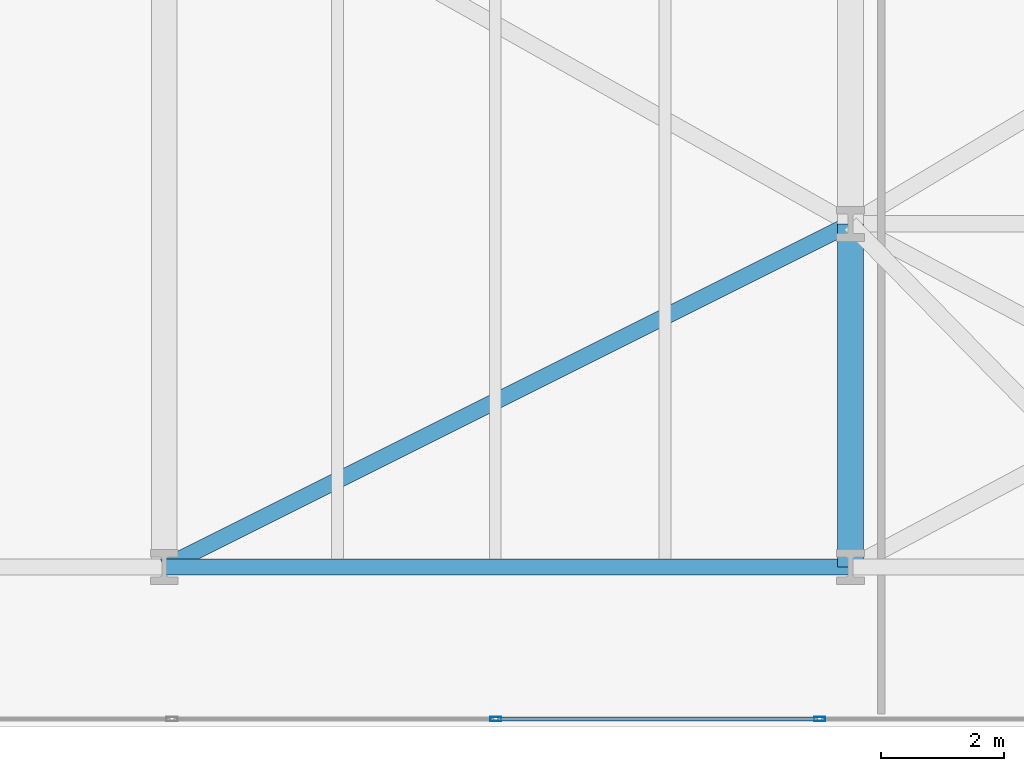
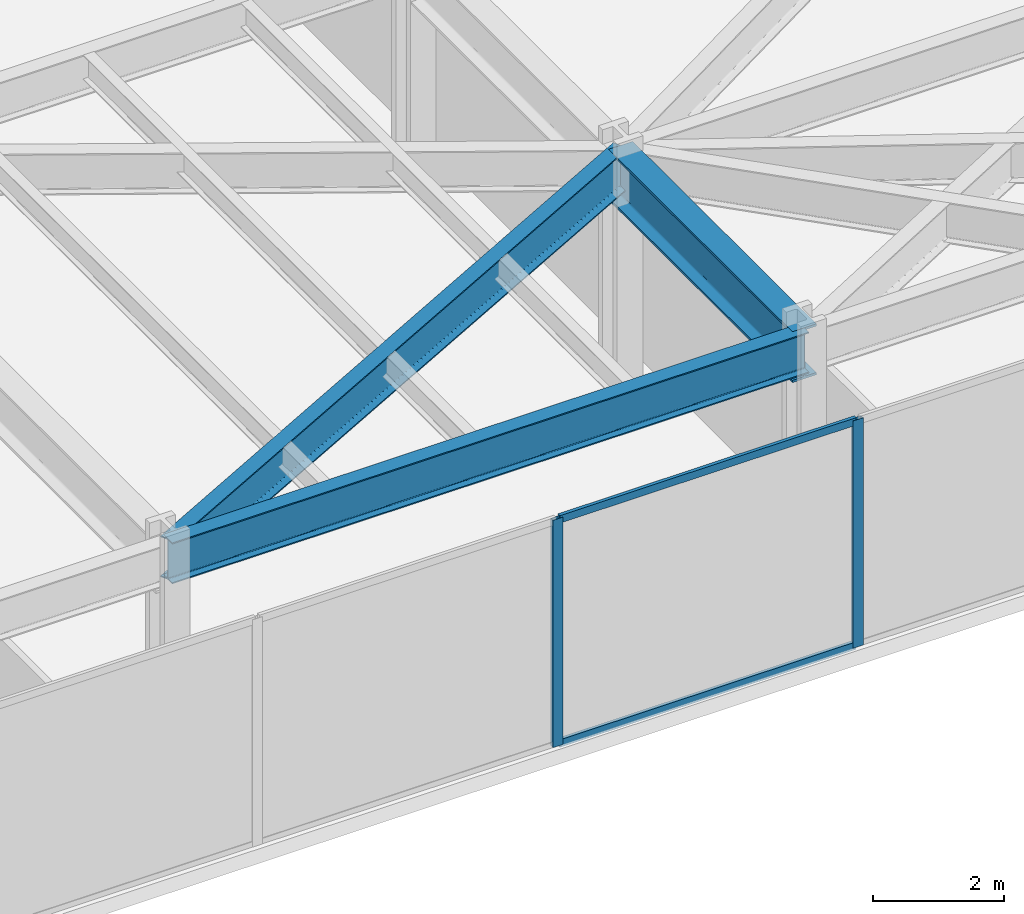
# One storey, part 16 of 28: 4 members, 3 beams, 1 element without a shape of its own.
"""IFC4 building model written with IfcOpenShell, lengths in metres."""

from ifc_helpers import new_model, si_unit, direction, frame, origin, origin_2d, place, context, subcontext, project, spatial, hollow_rectangle, i_section, extrude, material, layer, layer_set, material_profile, profile_set, type_object, element, aggregate, save


model = new_model("IFC4")

# Units and contexts
model_context = context("Model", 3, precision=1e-05, world=origin(), true_north=direction((0.0, 1.0)))
body_context = subcontext(model_context, "Body", "Model", "MODEL_VIEW")
ifc_project = project(units=[si_unit("LENGTHUNIT", "METRE"), si_unit("AREAUNIT", "SQUARE_METRE"), si_unit("VOLUMEUNIT", "CUBIC_METRE"), si_unit("PLANEANGLEUNIT", "RADIAN"), si_unit("MASSUNIT", "GRAM", prefix="KILO")], contexts=[model_context])

# Site, building, storey
site_placement = place(None, origin())
site = spatial("IfcSite", under=ifc_project, at=site_placement, CompositionType="ELEMENT")
building_placement = place(site_placement, origin())
building = spatial("IfcBuilding", under=site, at=building_placement, Name="Kravanh Interchange Tower", CompositionType="ELEMENT")
storey_placement = place(building_placement, frame((0.0, 0.0, 15.300048828125)))
storey = spatial("IfcBuildingStorey", under=building, at=storey_placement, Name="L03", CompositionType="ELEMENT", Elevation=15.300048828125)

# Curtain wall, members
ifc_material_1 = material(Name="Anodised Bronze Aluminium", Category="aluminium")
ifc_layer = layer(ifc_material_1, 0.179931640625)
ifc_layer_set = layer_set([ifc_layer], Name="Unitised Curtain Wall System CW-POD Podium Concourse")
curtain_wall_type = type_object("IfcCurtainWallType", Name="Unitised Curtain Wall System CW-POD Podium Concourse", PredefinedType="NOTDEFINED", material=ifc_layer_set)
curtain_wall_placement = place(storey_placement, origin())
curtain_wall = element("IfcCurtainWall", 1, at=curtain_wall_placement, inside=storey, type_object=curtain_wall_type, Name="L03 Unitised Curtain Wall CW-L03-04", PredefinedType="NOTDEFINED")
ifc_material_2 = material(Name="Anodised Bronze Aluminium", Category="aluminium")
ifc_material_profile_1 = material_profile(ifc_material_2, hollow_rectangle(XDim=0.070068359375, YDim=0.179931640625, WallThickness=0.00390625, at=origin_2d()), Name="ALU70X180X4")
ifc_profile_set_1 = profile_set([ifc_material_profile_1], Name="Anodised Bronze Aluminium")
member_type_1 = type_object("IfcMemberType", Name="Curtain Wall Mullion ALU70X180X4 Bronze", PredefinedType="MULLION", material=ifc_profile_set_1)
member_1_placement = place(storey_placement, frame((55.496337890625, 0.1201171875, 0.0), z_axis=(0.0, 0.0, 1.0), x_axis=(0.0, -1.0, 0.0)))
member_1 = element("IfcMember", 2, at=member_1_placement, type_object=member_type_1, Name="CW-POD mullion 4", PredefinedType="MULLION", context=body_context, shape_type="SweptSolid", body=[
    extrude(hollow_rectangle(XDim=0.070068359375, YDim=0.179931640625, WallThickness=0.00390625, at=origin_2d()), origin(), (0.0, 0.0, 1.0), 4.22998046875),
])
member_2_placement = place(storey_placement, frame((50.211669921875, 0.1201171875, 0.0), z_axis=(0.0, 0.0, 1.0), x_axis=(0.0, -1.0, 0.0)))
member_2 = element("IfcMember", 3, at=member_2_placement, type_object=member_type_1, Name="CW-POD mullion 5", PredefinedType="MULLION", context=body_context, shape_type="SweptSolid", body=[
    extrude(hollow_rectangle(XDim=0.070068359375, YDim=0.179931640625, WallThickness=0.00390625, at=origin_2d()), origin(), (0.0, 0.0, 1.0), 4.22998046875),
])
ifc_material_3 = material(Name="Anodised Bronze Aluminium", Category="aluminium")
ifc_material_profile_2 = material_profile(ifc_material_3, hollow_rectangle(XDim=0.06005859375, YDim=0.139892578125, WallThickness=0.00390625, at=origin_2d()), Name="ALU60X140X4")
ifc_profile_set_2 = profile_set([ifc_material_profile_2], Name="Anodised Bronze Aluminium")
member_type_2 = type_object("IfcMemberType", Name="Curtain Wall Transom ALU60X140X4 Bronze", PredefinedType="USERDEFINED", material=ifc_profile_set_2)
member_3_placement = place(storey_placement, frame((55.46142578125, 0.1201171875, 0.030029296875), z_axis=(-1.0, 0.0, 0.0), x_axis=(0.0, -1.0, 0.0)))
member_3 = element("IfcMember", 4, at=member_3_placement, type_object=member_type_2, Name="CW-POD transom 4.1", ObjectType="TRANSOM", PredefinedType="USERDEFINED", context=body_context, shape_type="SweptSolid", body=[
    extrude(hollow_rectangle(XDim=0.06005859375, YDim=0.139892578125, WallThickness=0.00390625, at=origin_2d()), origin(), (0.0, 0.0, 1.0), 5.21484375),
])
member_4_placement = place(storey_placement, frame((55.46142578125, 0.1201171875, 4.199951171875), z_axis=(-1.0, 0.0, 0.0), x_axis=(0.0, -1.0, 0.0)))
member_4 = element("IfcMember", 5, at=member_4_placement, type_object=member_type_2, Name="CW-POD transom 4.2", ObjectType="TRANSOM", PredefinedType="USERDEFINED", context=body_context, shape_type="SweptSolid", body=[
    extrude(hollow_rectangle(XDim=0.06005859375, YDim=0.139892578125, WallThickness=0.00390625, at=origin_2d()), origin(), (0.0, 0.0, 1.0), 5.21484375),
])
aggregate(curtain_wall, [member_1, member_2, member_3, member_4])

# Beams
ifc_material_4 = material(Name="Structural Steel S450", Category="steel")
ifc_material_profile_3 = material_profile(ifc_material_4, i_section(OverallWidth=0.423095703125, OverallDepth=0.947998046875, WebThickness=0.02392578125, FlangeThickness=0.042724609375, FilletRadius=0.028076171875, at=origin_2d()), Name="W36X302")
ifc_profile_set_3 = profile_set([ifc_material_profile_3], Name="Structural Steel S450")
beam_type_1 = type_object("IfcBeamType", Name="Floor Beam W36X302 Structural Steel S450", PredefinedType="BEAM", material=ifc_profile_set_3)
beam_1_placement = place(storey_placement, frame((56.0, 2.60009765625, 3.755859375), z_axis=(0.0, 1.0, 0.0), x_axis=(-1.0, 0.0, 0.0)))
element("IfcBeam", 6, at=beam_1_placement, inside=storey, type_object=beam_type_1, Name="L03 Primary Floor Girder 14", PredefinedType="BEAM", context=body_context, shape_type="SweptSolid", body=[
    extrude(i_section(OverallWidth=0.423095703125, OverallDepth=0.947998046875, WebThickness=0.02392578125, FlangeThickness=0.042724609375, FilletRadius=0.028076171875, at=origin_2d()), origin(), (0.0, 0.0, 1.0), 5.599853515625),
])
ifc_material_5 = material(Name="Structural Steel S355", Category="steel")
ifc_material_profile_4 = material_profile(ifc_material_5, i_section(OverallWidth=0.26708984375, OverallDepth=0.761962890625, WebThickness=0.014404296875, FlangeThickness=0.021484375, FilletRadius=0.02490234375, at=origin_2d()), Name="W30X116")
ifc_profile_set_4 = profile_set([ifc_material_profile_4], Name="Structural Steel S355")
beam_type_2 = type_object("IfcBeamType", Name="Floor Spandrel W30X116 Structural Steel S355", PredefinedType="SPANDREL", material=ifc_profile_set_4)
beam_2_placement = place(storey_placement, frame((44.800048828125, 2.60009765625, 3.848876953125), z_axis=(1.0, 0.0, 0.0), x_axis=(0.0, 1.0, 0.0)))
element("IfcBeam", 7, at=beam_2_placement, inside=storey, type_object=beam_type_2, Name="L03 Perimeter Spandrel 10", PredefinedType="SPANDREL", context=body_context, shape_type="SweptSolid", body=[
    extrude(i_section(OverallWidth=0.26708984375, OverallDepth=0.761962890625, WebThickness=0.014404296875, FlangeThickness=0.021484375, FilletRadius=0.02490234375, at=origin_2d()), origin(), (0.0, 0.0, 1.0), 11.199951171875),
])
beam_3_placement = place(storey_placement, frame((44.800048828125, 2.60009765625, 3.848876953125), z_axis=(0.894431090393, 0.447205796629, 0.0), x_axis=(-0.447205796629, 0.894431090393, 0.0)))
element("IfcBeam", 8, at=beam_3_placement, inside=storey, type_object=beam_type_2, Name="L03 Perimeter Spandrel 12", PredefinedType="SPANDREL", context=body_context, shape_type="SweptSolid", body=[
    extrude(i_section(OverallWidth=0.26708984375, OverallDepth=0.761962890625, WebThickness=0.014404296875, FlangeThickness=0.021484375, FilletRadius=0.02490234375, at=origin_2d()), origin(), (0.0, 0.0, 1.0), 12.52197265625),
])

save(model, "model.ifc")
